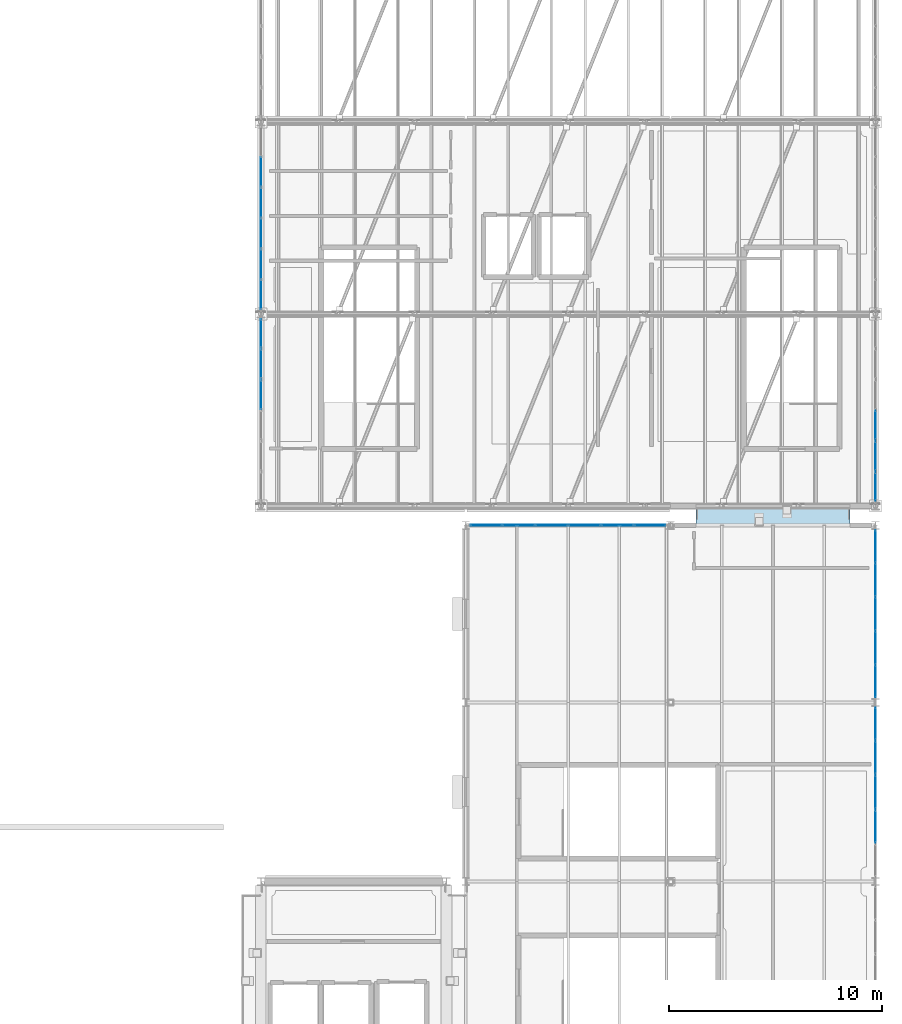
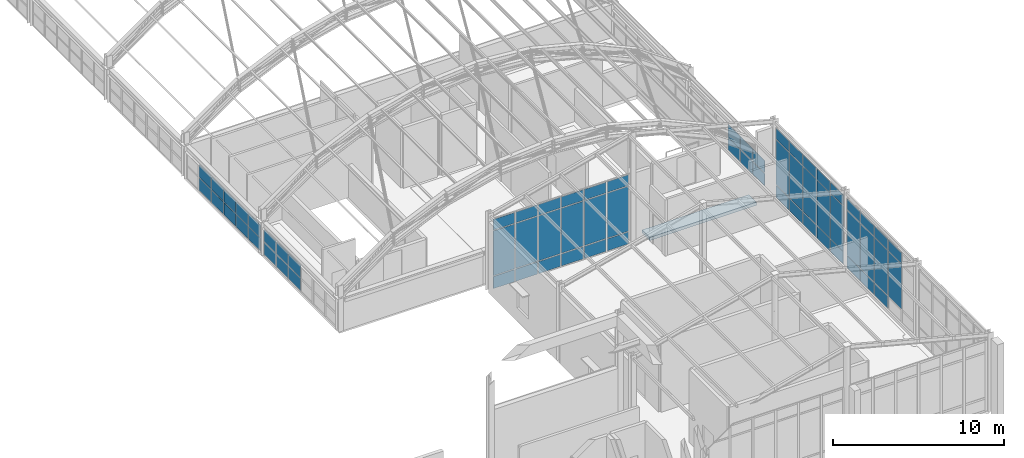
# One storey, part 97 of 121: 66 plates, 1 slab, 6 elements without a shape of their own.
"""IFC4 building model written with IfcOpenShell, lengths in metres."""

from ifc_helpers import new_model, si_unit, direction, frame, origin, origin_2d, place, context, subcontext, project, spatial, polyline, rectangle, outline, extrude, material, layer, layer_set, type_object, element, aggregate, save


model = new_model("IFC4")

# Units and contexts
model_context = context("Model", 3, precision=1e-05, world=origin(), true_north=direction((0.0, 1.0)))
body_context = subcontext(model_context, "Body", "Model", "MODEL_VIEW")
ifc_project = project(units=[si_unit("LENGTHUNIT", "METRE"), si_unit("AREAUNIT", "SQUARE_METRE"), si_unit("VOLUMEUNIT", "CUBIC_METRE"), si_unit("PLANEANGLEUNIT", "RADIAN"), si_unit("MASSUNIT", "GRAM", prefix="KILO")], contexts=[model_context])

# Site, building, storey
site_placement = place(None, origin())
site = spatial("IfcSite", under=ifc_project, at=site_placement, CompositionType="ELEMENT")
building_placement = place(site_placement, origin())
building = spatial("IfcBuilding", under=site, at=building_placement, Name="Canglan Escarpment Cableway Terminal", CompositionType="ELEMENT")
storey_placement = place(building_placement, frame((0.0, 0.0, 24.60009765625)))
storey = spatial("IfcBuildingStorey", under=building, at=storey_placement, Name="L05", CompositionType="ELEMENT", Elevation=24.60009765625)

# Curtain wall, plates
ifc_material_1 = material(Name="Anodized bronze aluminium and Low-E double glazing", Category="aluminium")
curtain_wall_type_1 = type_object("IfcCurtainWallType", Name="CW-BAY-7950x5050", PredefinedType="NOTDEFINED", material=ifc_material_1)
curtain_wall_1_placement = place(storey_placement, origin())
curtain_wall_1 = element("IfcCurtainWall", 1, at=curtain_wall_1_placement, inside=storey, type_object=curtain_wall_type_1, Name="Classical bay-between-piers glazed curtain wall CW-39", PredefinedType="NOTDEFINED")
ifc_material_2 = material(Name="Double-silver Low-E laminated insulating glass", Category="glass")
ifc_layer_1 = layer(ifc_material_2, 0.02392578125, Name="Double-silver Low-E laminated insulating glass")
ifc_layer_set_1 = layer_set([ifc_layer_1], Name="Double-silver Low-E laminated insulating glass")
plate_type_1 = type_object("IfcPlateType", Name="CWP-01", PredefinedType="CURTAIN_PANEL", material=ifc_layer_set_1)
plate_1_placement = place(storey_placement, frame((166.39990234375, 25.784912109375, 0.05517578125), z_axis=(0.0, 0.0, 1.0), x_axis=(0.0, 1.0, 0.0)))
plate_1 = element("IfcPlate", 2, at=plate_1_placement, type_object=plate_type_1, Name="CW-39 panel 1.1", PredefinedType="CURTAIN_PANEL", context=body_context, shape_type="SweptSolid", body=[
    extrude(rectangle(XDim=1.5, YDim=0.02392578125, at=origin_2d()), origin(), (0.0, 0.0, 1.0), 0.867431640625),
])
plate_2_placement = place(storey_placement, frame((166.39990234375, 25.784912109375, 0.9775390625), z_axis=(0.0, 0.0, 1.0), x_axis=(0.0, 1.0, 0.0)))
plate_2 = element("IfcPlate", 3, at=plate_2_placement, type_object=plate_type_1, Name="CW-39 panel 1.2", PredefinedType="CURTAIN_PANEL", context=body_context, shape_type="SweptSolid", body=[
    extrude(rectangle(XDim=1.5, YDim=0.02392578125, at=origin_2d()), origin(), (0.0, 0.0, 1.0), 3.195068359375),
])
plate_3_placement = place(storey_placement, frame((166.39990234375, 25.784912109375, 4.227294921875), z_axis=(0.0, 0.0, 1.0), x_axis=(0.0, 1.0, 0.0)))
plate_3 = element("IfcPlate", 4, at=plate_3_placement, type_object=plate_type_1, Name="CW-39 panel 1.3", PredefinedType="CURTAIN_PANEL", context=body_context, shape_type="SweptSolid", body=[
    extrude(rectangle(XDim=1.5, YDim=0.02392578125, at=origin_2d()), origin(), (0.0, 0.0, 1.0), 0.767578125),
])
plate_4_placement = place(storey_placement, frame((166.39990234375, 27.360107421875, 0.05517578125), z_axis=(0.0, 0.0, 1.0), x_axis=(0.0, 1.0, 0.0)))
plate_4 = element("IfcPlate", 5, at=plate_4_placement, type_object=plate_type_1, Name="CW-39 panel 2.1", PredefinedType="CURTAIN_PANEL", context=body_context, shape_type="SweptSolid", body=[
    extrude(rectangle(XDim=1.530029296875, YDim=0.02392578125, at=origin_2d()), origin(), (0.0, 0.0, 1.0), 0.867431640625),
])
plate_5_placement = place(storey_placement, frame((166.39990234375, 27.360107421875, 0.9775390625), z_axis=(0.0, 0.0, 1.0), x_axis=(0.0, 1.0, 0.0)))
plate_5 = element("IfcPlate", 6, at=plate_5_placement, type_object=plate_type_1, Name="CW-39 panel 2.2", PredefinedType="CURTAIN_PANEL", context=body_context, shape_type="SweptSolid", body=[
    extrude(rectangle(XDim=1.530029296875, YDim=0.02392578125, at=origin_2d()), origin(), (0.0, 0.0, 1.0), 3.195068359375),
])
plate_6_placement = place(storey_placement, frame((166.39990234375, 27.360107421875, 4.227294921875), z_axis=(0.0, 0.0, 1.0), x_axis=(0.0, 1.0, 0.0)))
plate_6 = element("IfcPlate", 7, at=plate_6_placement, type_object=plate_type_1, Name="CW-39 panel 2.3", PredefinedType="CURTAIN_PANEL", context=body_context, shape_type="SweptSolid", body=[
    extrude(rectangle(XDim=1.530029296875, YDim=0.02392578125, at=origin_2d()), origin(), (0.0, 0.0, 1.0), 0.767578125),
])
plate_7_placement = place(storey_placement, frame((166.39990234375, 28.949951171875, 0.05517578125), z_axis=(0.0, 0.0, 1.0), x_axis=(0.0, 1.0, 0.0)))
plate_7 = element("IfcPlate", 8, at=plate_7_placement, type_object=plate_type_1, Name="CW-39 panel 3.1", PredefinedType="CURTAIN_PANEL", context=body_context, shape_type="SweptSolid", body=[
    extrude(rectangle(XDim=1.530029296875, YDim=0.02392578125, at=origin_2d()), origin(), (0.0, 0.0, 1.0), 0.867431640625),
])
plate_8_placement = place(storey_placement, frame((166.39990234375, 28.949951171875, 0.9775390625), z_axis=(0.0, 0.0, 1.0), x_axis=(0.0, 1.0, 0.0)))
plate_8 = element("IfcPlate", 9, at=plate_8_placement, type_object=plate_type_1, Name="CW-39 panel 3.2", PredefinedType="CURTAIN_PANEL", context=body_context, shape_type="SweptSolid", body=[
    extrude(rectangle(XDim=1.530029296875, YDim=0.02392578125, at=origin_2d()), origin(), (0.0, 0.0, 1.0), 3.195068359375),
])
plate_9_placement = place(storey_placement, frame((166.39990234375, 28.949951171875, 4.227294921875), z_axis=(0.0, 0.0, 1.0), x_axis=(0.0, 1.0, 0.0)))
plate_9 = element("IfcPlate", 10, at=plate_9_placement, type_object=plate_type_1, Name="CW-39 panel 3.3", PredefinedType="CURTAIN_PANEL", context=body_context, shape_type="SweptSolid", body=[
    extrude(rectangle(XDim=1.530029296875, YDim=0.02392578125, at=origin_2d()), origin(), (0.0, 0.0, 1.0), 0.767578125),
])
plate_10_placement = place(storey_placement, frame((166.39990234375, 30.5400390625, 0.05517578125), z_axis=(0.0, 0.0, 1.0), x_axis=(0.0, 1.0, 0.0)))
plate_10 = element("IfcPlate", 11, at=plate_10_placement, type_object=plate_type_1, Name="CW-39 panel 4.1", PredefinedType="CURTAIN_PANEL", context=body_context, shape_type="SweptSolid", body=[
    extrude(rectangle(XDim=1.530029296875, YDim=0.02392578125, at=origin_2d()), origin(), (0.0, 0.0, 1.0), 0.867431640625),
])
plate_11_placement = place(storey_placement, frame((166.39990234375, 30.5400390625, 0.9775390625), z_axis=(0.0, 0.0, 1.0), x_axis=(0.0, 1.0, 0.0)))
plate_11 = element("IfcPlate", 12, at=plate_11_placement, type_object=plate_type_1, Name="CW-39 panel 4.2", PredefinedType="CURTAIN_PANEL", context=body_context, shape_type="SweptSolid", body=[
    extrude(rectangle(XDim=1.530029296875, YDim=0.02392578125, at=origin_2d()), origin(), (0.0, 0.0, 1.0), 3.195068359375),
])
plate_12_placement = place(storey_placement, frame((166.39990234375, 30.5400390625, 4.227294921875), z_axis=(0.0, 0.0, 1.0), x_axis=(0.0, 1.0, 0.0)))
plate_12 = element("IfcPlate", 13, at=plate_12_placement, type_object=plate_type_1, Name="CW-39 panel 4.3", PredefinedType="CURTAIN_PANEL", context=body_context, shape_type="SweptSolid", body=[
    extrude(rectangle(XDim=1.530029296875, YDim=0.02392578125, at=origin_2d()), origin(), (0.0, 0.0, 1.0), 0.767578125),
])
plate_13_placement = place(storey_placement, frame((166.39990234375, 32.114990234375, 0.05517578125), z_axis=(0.0, 0.0, 1.0), x_axis=(0.0, 1.0, 0.0)))
plate_13 = element("IfcPlate", 14, at=plate_13_placement, type_object=plate_type_1, Name="CW-39 panel 5.1", PredefinedType="CURTAIN_PANEL", context=body_context, shape_type="SweptSolid", body=[
    extrude(rectangle(XDim=1.5, YDim=0.02392578125, at=origin_2d()), origin(), (0.0, 0.0, 1.0), 0.867431640625),
])
plate_14_placement = place(storey_placement, frame((166.39990234375, 32.114990234375, 0.9775390625), z_axis=(0.0, 0.0, 1.0), x_axis=(0.0, 1.0, 0.0)))
plate_14 = element("IfcPlate", 15, at=plate_14_placement, type_object=plate_type_1, Name="CW-39 panel 5.2", PredefinedType="CURTAIN_PANEL", context=body_context, shape_type="SweptSolid", body=[
    extrude(rectangle(XDim=1.5, YDim=0.02392578125, at=origin_2d()), origin(), (0.0, 0.0, 1.0), 3.195068359375),
])
plate_15_placement = place(storey_placement, frame((166.39990234375, 32.114990234375, 4.227294921875), z_axis=(0.0, 0.0, 1.0), x_axis=(0.0, 1.0, 0.0)))
plate_15 = element("IfcPlate", 16, at=plate_15_placement, type_object=plate_type_1, Name="CW-39 panel 5.3", PredefinedType="CURTAIN_PANEL", context=body_context, shape_type="SweptSolid", body=[
    extrude(rectangle(XDim=1.5, YDim=0.02392578125, at=origin_2d()), origin(), (0.0, 0.0, 1.0), 0.767578125),
])
aggregate(curtain_wall_1, [plate_1, plate_2, plate_3, plate_4, plate_5, plate_6, plate_7, plate_8, plate_9, plate_10, plate_11, plate_12, plate_13, plate_14, plate_15])

curtain_wall_type_2 = type_object("IfcCurtainWallType", Name="CW-BAY-9250x5050", PredefinedType="NOTDEFINED", material=ifc_material_1)
curtain_wall_2_placement = place(storey_placement, origin())
curtain_wall_2 = element("IfcCurtainWall", 17, at=curtain_wall_2_placement, inside=storey, type_object=curtain_wall_type_2, Name="Classical bay-between-piers glazed curtain wall CW-40", PredefinedType="NOTDEFINED")
ifc_layer_2 = layer(ifc_material_2, 0.031982421875, Name="Double-silver Low-E laminated insulating glass")
ifc_layer_set_2 = layer_set([ifc_layer_2], Name="Double-silver Low-E laminated insulating glass")
plate_type_2 = type_object("IfcPlateType", Name="CWP-03", PredefinedType="CURTAIN_PANEL", material=ifc_layer_set_2)
plate_16_placement = place(storey_placement, frame((155.837890625, 33.10009765625, 0.06005859375), z_axis=(0.0, 0.0, 1.0), x_axis=(-1.0, 0.0, 0.0)))
plate_16 = element("IfcPlate", 18, at=plate_16_placement, type_object=plate_type_2, Name="CW-40 panel 1.1", PredefinedType="CURTAIN_PANEL", context=body_context, shape_type="SweptSolid", body=[
    extrude(rectangle(XDim=1.444091796875, YDim=0.031982421875, at=origin_2d()), origin(), (0.0, 0.0, 1.0), 0.860107421875),
])
plate_17_placement = place(storey_placement, frame((155.837890625, 33.10009765625, 0.97998046875), z_axis=(0.0, 0.0, 1.0), x_axis=(-1.0, 0.0, 0.0)))
plate_17 = element("IfcPlate", 19, at=plate_17_placement, type_object=plate_type_2, Name="CW-40 panel 1.2", PredefinedType="CURTAIN_PANEL", context=body_context, shape_type="SweptSolid", body=[
    extrude(rectangle(XDim=1.444091796875, YDim=0.031982421875, at=origin_2d()), origin(), (0.0, 0.0, 1.0), 3.18994140625),
])
plate_18_placement = place(storey_placement, frame((155.837890625, 33.10009765625, 4.22998046875), z_axis=(0.0, 0.0, 1.0), x_axis=(-1.0, 0.0, 0.0)))
plate_18 = element("IfcPlate", 20, at=plate_18_placement, type_object=plate_type_2, Name="CW-40 panel 1.3", PredefinedType="CURTAIN_PANEL", context=body_context, shape_type="SweptSolid", body=[
    extrude(rectangle(XDim=1.444091796875, YDim=0.031982421875, at=origin_2d()), origin(), (0.0, 0.0, 1.0), 0.760009765625),
])
plate_19_placement = place(storey_placement, frame((154.3125, 33.10009765625, 0.06005859375), z_axis=(0.0, 0.0, 1.0), x_axis=(-1.0, 0.0, 0.0)))
plate_19 = element("IfcPlate", 21, at=plate_19_placement, type_object=plate_type_2, Name="CW-40 panel 2.1", PredefinedType="CURTAIN_PANEL", context=body_context, shape_type="SweptSolid", body=[
    extrude(rectangle(XDim=1.4765625, YDim=0.031982421875, at=origin_2d()), origin(), (0.0, 0.0, 1.0), 0.860107421875),
])
plate_20_placement = place(storey_placement, frame((154.3125, 33.10009765625, 0.97998046875), z_axis=(0.0, 0.0, 1.0), x_axis=(-1.0, 0.0, 0.0)))
plate_20 = element("IfcPlate", 22, at=plate_20_placement, type_object=plate_type_2, Name="CW-40 panel 2.2", PredefinedType="CURTAIN_PANEL", context=body_context, shape_type="SweptSolid", body=[
    extrude(rectangle(XDim=1.4765625, YDim=0.031982421875, at=origin_2d()), origin(), (0.0, 0.0, 1.0), 3.18994140625),
])
plate_21_placement = place(storey_placement, frame((154.3125, 33.10009765625, 4.22998046875), z_axis=(0.0, 0.0, 1.0), x_axis=(-1.0, 0.0, 0.0)))
plate_21 = element("IfcPlate", 23, at=plate_21_placement, type_object=plate_type_2, Name="CW-40 panel 2.3", PredefinedType="CURTAIN_PANEL", context=body_context, shape_type="SweptSolid", body=[
    extrude(rectangle(XDim=1.4765625, YDim=0.031982421875, at=origin_2d()), origin(), (0.0, 0.0, 1.0), 0.760009765625),
])
plate_22_placement = place(storey_placement, frame((152.770751953125, 33.10009765625, 0.06005859375), z_axis=(0.0, 0.0, 1.0), x_axis=(-1.0, 0.0, 0.0)))
plate_22 = element("IfcPlate", 24, at=plate_22_placement, type_object=plate_type_2, Name="CW-40 panel 3.1", PredefinedType="CURTAIN_PANEL", context=body_context, shape_type="SweptSolid", body=[
    extrude(rectangle(XDim=1.4765625, YDim=0.031982421875, at=origin_2d()), origin(), (0.0, 0.0, 1.0), 0.860107421875),
])
plate_23_placement = place(storey_placement, frame((152.770751953125, 33.10009765625, 0.97998046875), z_axis=(0.0, 0.0, 1.0), x_axis=(-1.0, 0.0, 0.0)))
plate_23 = element("IfcPlate", 25, at=plate_23_placement, type_object=plate_type_2, Name="CW-40 panel 3.2", PredefinedType="CURTAIN_PANEL", context=body_context, shape_type="SweptSolid", body=[
    extrude(rectangle(XDim=1.4765625, YDim=0.031982421875, at=origin_2d()), origin(), (0.0, 0.0, 1.0), 3.18994140625),
])
plate_24_placement = place(storey_placement, frame((152.770751953125, 33.10009765625, 4.22998046875), z_axis=(0.0, 0.0, 1.0), x_axis=(-1.0, 0.0, 0.0)))
plate_24 = element("IfcPlate", 26, at=plate_24_placement, type_object=plate_type_2, Name="CW-40 panel 3.3", PredefinedType="CURTAIN_PANEL", context=body_context, shape_type="SweptSolid", body=[
    extrude(rectangle(XDim=1.4765625, YDim=0.031982421875, at=origin_2d()), origin(), (0.0, 0.0, 1.0), 0.760009765625),
])
plate_25_placement = place(storey_placement, frame((151.229248046875, 33.10009765625, 0.06005859375), z_axis=(0.0, 0.0, 1.0), x_axis=(-1.0, 0.0, 0.0)))
plate_25 = element("IfcPlate", 27, at=plate_25_placement, type_object=plate_type_2, Name="CW-40 panel 4.1", PredefinedType="CURTAIN_PANEL", context=body_context, shape_type="SweptSolid", body=[
    extrude(rectangle(XDim=1.4765625, YDim=0.031982421875, at=origin_2d()), origin(), (0.0, 0.0, 1.0), 0.860107421875),
])
plate_26_placement = place(storey_placement, frame((151.229248046875, 33.10009765625, 0.97998046875), z_axis=(0.0, 0.0, 1.0), x_axis=(-1.0, 0.0, 0.0)))
plate_26 = element("IfcPlate", 28, at=plate_26_placement, type_object=plate_type_2, Name="CW-40 panel 4.2", PredefinedType="CURTAIN_PANEL", context=body_context, shape_type="SweptSolid", body=[
    extrude(rectangle(XDim=1.4765625, YDim=0.031982421875, at=origin_2d()), origin(), (0.0, 0.0, 1.0), 3.18994140625),
])
plate_27_placement = place(storey_placement, frame((151.229248046875, 33.10009765625, 4.22998046875), z_axis=(0.0, 0.0, 1.0), x_axis=(-1.0, 0.0, 0.0)))
plate_27 = element("IfcPlate", 29, at=plate_27_placement, type_object=plate_type_2, Name="CW-40 panel 4.3", PredefinedType="CURTAIN_PANEL", context=body_context, shape_type="SweptSolid", body=[
    extrude(rectangle(XDim=1.4765625, YDim=0.031982421875, at=origin_2d()), origin(), (0.0, 0.0, 1.0), 0.760009765625),
])
plate_28_placement = place(storey_placement, frame((149.6875, 33.10009765625, 0.06005859375), z_axis=(0.0, 0.0, 1.0), x_axis=(-1.0, 0.0, 0.0)))
plate_28 = element("IfcPlate", 30, at=plate_28_placement, type_object=plate_type_2, Name="CW-40 panel 5.1", PredefinedType="CURTAIN_PANEL", context=body_context, shape_type="SweptSolid", body=[
    extrude(rectangle(XDim=1.4765625, YDim=0.031982421875, at=origin_2d()), origin(), (0.0, 0.0, 1.0), 0.860107421875),
])
plate_29_placement = place(storey_placement, frame((149.6875, 33.10009765625, 0.97998046875), z_axis=(0.0, 0.0, 1.0), x_axis=(-1.0, 0.0, 0.0)))
plate_29 = element("IfcPlate", 31, at=plate_29_placement, type_object=plate_type_2, Name="CW-40 panel 5.2", PredefinedType="CURTAIN_PANEL", context=body_context, shape_type="SweptSolid", body=[
    extrude(rectangle(XDim=1.4765625, YDim=0.031982421875, at=origin_2d()), origin(), (0.0, 0.0, 1.0), 3.18994140625),
])
plate_30_placement = place(storey_placement, frame((149.6875, 33.10009765625, 4.22998046875), z_axis=(0.0, 0.0, 1.0), x_axis=(-1.0, 0.0, 0.0)))
plate_30 = element("IfcPlate", 32, at=plate_30_placement, type_object=plate_type_2, Name="CW-40 panel 5.3", PredefinedType="CURTAIN_PANEL", context=body_context, shape_type="SweptSolid", body=[
    extrude(rectangle(XDim=1.4765625, YDim=0.031982421875, at=origin_2d()), origin(), (0.0, 0.0, 1.0), 0.760009765625),
])
plate_31_placement = place(storey_placement, frame((148.162109375, 33.10009765625, 0.06005859375), z_axis=(0.0, 0.0, 1.0), x_axis=(-1.0, 0.0, 0.0)))
plate_31 = element("IfcPlate", 33, at=plate_31_placement, type_object=plate_type_2, Name="CW-40 panel 6.1", PredefinedType="CURTAIN_PANEL", context=body_context, shape_type="SweptSolid", body=[
    extrude(rectangle(XDim=1.444091796875, YDim=0.031982421875, at=origin_2d()), origin(), (0.0, 0.0, 1.0), 0.860107421875),
])
plate_32_placement = place(storey_placement, frame((148.162109375, 33.10009765625, 0.97998046875), z_axis=(0.0, 0.0, 1.0), x_axis=(-1.0, 0.0, 0.0)))
plate_32 = element("IfcPlate", 34, at=plate_32_placement, type_object=plate_type_2, Name="CW-40 panel 6.2", PredefinedType="CURTAIN_PANEL", context=body_context, shape_type="SweptSolid", body=[
    extrude(rectangle(XDim=1.444091796875, YDim=0.031982421875, at=origin_2d()), origin(), (0.0, 0.0, 1.0), 3.18994140625),
])
plate_33_placement = place(storey_placement, frame((148.162109375, 33.10009765625, 4.22998046875), z_axis=(0.0, 0.0, 1.0), x_axis=(-1.0, 0.0, 0.0)))
plate_33 = element("IfcPlate", 35, at=plate_33_placement, type_object=plate_type_2, Name="CW-40 panel 6.3", PredefinedType="CURTAIN_PANEL", context=body_context, shape_type="SweptSolid", body=[
    extrude(rectangle(XDim=1.444091796875, YDim=0.031982421875, at=origin_2d()), origin(), (0.0, 0.0, 1.0), 0.760009765625),
])
aggregate(curtain_wall_2, [plate_16, plate_17, plate_18, plate_19, plate_20, plate_21, plate_22, plate_23, plate_24, plate_25, plate_26, plate_27, plate_28, plate_29, plate_30, plate_31, plate_32, plate_33])

curtain_wall_type_3 = type_object("IfcCurtainWallType", Name="CW-BAY-8650x1925", PredefinedType="NOTDEFINED", material=ifc_material_1)
curtain_wall_3_placement = place(storey_placement, origin())
curtain_wall_3 = element("IfcCurtainWall", 36, at=curtain_wall_3_placement, inside=storey, type_object=curtain_wall_type_3, Name="Classical bay-between-piers glazed curtain wall CW-65", PredefinedType="NOTDEFINED")
plate_34_placement = place(storey_placement, frame((166.39990234375, 34.912109375, 0.06494140625), z_axis=(0.0, 0.0, 1.0), x_axis=(0.0, 1.0, 0.0)))
plate_34 = element("IfcPlate", 37, at=plate_34_placement, type_object=plate_type_2, Name="CW-65 panel 1.1", PredefinedType="CURTAIN_PANEL", context=body_context, shape_type="SweptSolid", body=[
    extrude(rectangle(XDim=1.34423828125, YDim=0.031982421875, at=origin_2d()), origin(), (0.0, 0.0, 1.0), 0.868896484375),
])
plate_35_placement = place(storey_placement, frame((166.39990234375, 34.912109375, 0.998779296875), z_axis=(0.0, 0.0, 1.0), x_axis=(0.0, 1.0, 0.0)))
plate_35 = element("IfcPlate", 38, at=plate_35_placement, type_object=plate_type_2, Name="CW-65 panel 1.2", PredefinedType="CURTAIN_PANEL", context=body_context, shape_type="SweptSolid", body=[
    extrude(rectangle(XDim=1.34423828125, YDim=0.031982421875, at=origin_2d()), origin(), (0.0, 0.0, 1.0), 0.86865234375),
])
plate_36_placement = place(storey_placement, frame((166.39990234375, 36.33740234375, 0.06494140625), z_axis=(0.0, 0.0, 1.0), x_axis=(0.0, 1.0, 0.0)))
plate_36 = element("IfcPlate", 39, at=plate_36_placement, type_object=plate_type_2, Name="CW-65 panel 2.1", PredefinedType="CURTAIN_PANEL", context=body_context, shape_type="SweptSolid", body=[
    extrude(rectangle(XDim=1.376708984375, YDim=0.031982421875, at=origin_2d()), origin(), (0.0, 0.0, 1.0), 0.868896484375),
])
plate_37_placement = place(storey_placement, frame((166.39990234375, 36.33740234375, 0.998779296875), z_axis=(0.0, 0.0, 1.0), x_axis=(0.0, 1.0, 0.0)))
plate_37 = element("IfcPlate", 40, at=plate_37_placement, type_object=plate_type_2, Name="CW-65 panel 2.2", PredefinedType="CURTAIN_PANEL", context=body_context, shape_type="SweptSolid", body=[
    extrude(rectangle(XDim=1.376708984375, YDim=0.031982421875, at=origin_2d()), origin(), (0.0, 0.0, 1.0), 0.86865234375),
])
plate_38_placement = place(storey_placement, frame((166.39990234375, 37.779052734375, 0.06494140625), z_axis=(0.0, 0.0, 1.0), x_axis=(0.0, 1.0, 0.0)))
plate_38 = element("IfcPlate", 41, at=plate_38_placement, type_object=plate_type_2, Name="CW-65 panel 3.1", PredefinedType="CURTAIN_PANEL", context=body_context, shape_type="SweptSolid", body=[
    extrude(rectangle(XDim=1.376708984375, YDim=0.031982421875, at=origin_2d()), origin(), (0.0, 0.0, 1.0), 0.868896484375),
])
plate_39_placement = place(storey_placement, frame((166.39990234375, 37.779052734375, 0.998779296875), z_axis=(0.0, 0.0, 1.0), x_axis=(0.0, 1.0, 0.0)))
plate_39 = element("IfcPlate", 42, at=plate_39_placement, type_object=plate_type_2, Name="CW-65 panel 3.2", PredefinedType="CURTAIN_PANEL", context=body_context, shape_type="SweptSolid", body=[
    extrude(rectangle(XDim=1.376708984375, YDim=0.031982421875, at=origin_2d()), origin(), (0.0, 0.0, 1.0), 0.86865234375),
])
aggregate(curtain_wall_3, [plate_34, plate_35, plate_36, plate_37, plate_38, plate_39])

curtain_wall_4_placement = place(storey_placement, origin())
curtain_wall_4 = element("IfcCurtainWall", 43, at=curtain_wall_4_placement, inside=storey, type_object=curtain_wall_type_3, Name="Classical bay-between-piers glazed curtain wall CW-65", PredefinedType="NOTDEFINED")
plate_40_placement = place(storey_placement, frame((137.60009765625, 42.087890625, 0.06494140625), z_axis=(0.0, 0.0, 1.0), x_axis=(0.0, -1.0, 0.0)))
plate_40 = element("IfcPlate", 44, at=plate_40_placement, type_object=plate_type_2, Name="CW-65 panel 1.1", PredefinedType="CURTAIN_PANEL", context=body_context, shape_type="SweptSolid", body=[
    extrude(rectangle(XDim=1.34423828125, YDim=0.031982421875, at=origin_2d()), origin(), (0.0, 0.0, 1.0), 0.868896484375),
])
plate_41_placement = place(storey_placement, frame((137.60009765625, 42.087890625, 0.998779296875), z_axis=(0.0, 0.0, 1.0), x_axis=(0.0, -1.0, 0.0)))
plate_41 = element("IfcPlate", 45, at=plate_41_placement, type_object=plate_type_2, Name="CW-65 panel 1.2", PredefinedType="CURTAIN_PANEL", context=body_context, shape_type="SweptSolid", body=[
    extrude(rectangle(XDim=1.34423828125, YDim=0.031982421875, at=origin_2d()), origin(), (0.0, 0.0, 1.0), 0.86865234375),
])
plate_42_placement = place(storey_placement, frame((137.60009765625, 40.66259765625, 0.06494140625), z_axis=(0.0, 0.0, 1.0), x_axis=(0.0, -1.0, 0.0)))
plate_42 = element("IfcPlate", 46, at=plate_42_placement, type_object=plate_type_2, Name="CW-65 panel 2.1", PredefinedType="CURTAIN_PANEL", context=body_context, shape_type="SweptSolid", body=[
    extrude(rectangle(XDim=1.376708984375, YDim=0.031982421875, at=origin_2d()), origin(), (0.0, 0.0, 1.0), 0.868896484375),
])
plate_43_placement = place(storey_placement, frame((137.60009765625, 40.66259765625, 0.998779296875), z_axis=(0.0, 0.0, 1.0), x_axis=(0.0, -1.0, 0.0)))
plate_43 = element("IfcPlate", 47, at=plate_43_placement, type_object=plate_type_2, Name="CW-65 panel 2.2", PredefinedType="CURTAIN_PANEL", context=body_context, shape_type="SweptSolid", body=[
    extrude(rectangle(XDim=1.376708984375, YDim=0.031982421875, at=origin_2d()), origin(), (0.0, 0.0, 1.0), 0.86865234375),
])
plate_44_placement = place(storey_placement, frame((137.60009765625, 39.220947265625, 0.06494140625), z_axis=(0.0, 0.0, 1.0), x_axis=(0.0, -1.0, 0.0)))
plate_44 = element("IfcPlate", 48, at=plate_44_placement, type_object=plate_type_2, Name="CW-65 panel 3.1", PredefinedType="CURTAIN_PANEL", context=body_context, shape_type="SweptSolid", body=[
    extrude(rectangle(XDim=1.376708984375, YDim=0.031982421875, at=origin_2d()), origin(), (0.0, 0.0, 1.0), 0.868896484375),
])
plate_45_placement = place(storey_placement, frame((137.60009765625, 39.220947265625, 0.998779296875), z_axis=(0.0, 0.0, 1.0), x_axis=(0.0, -1.0, 0.0)))
plate_45 = element("IfcPlate", 49, at=plate_45_placement, type_object=plate_type_2, Name="CW-65 panel 3.2", PredefinedType="CURTAIN_PANEL", context=body_context, shape_type="SweptSolid", body=[
    extrude(rectangle(XDim=1.376708984375, YDim=0.031982421875, at=origin_2d()), origin(), (0.0, 0.0, 1.0), 0.86865234375),
])
aggregate(curtain_wall_4, [plate_40, plate_41, plate_42, plate_43, plate_44, plate_45])

curtain_wall_type_4 = type_object("IfcCurtainWallType", Name="CW-BAY-8050x5050", PredefinedType="NOTDEFINED", material=ifc_material_1)
curtain_wall_5_placement = place(storey_placement, origin())
curtain_wall_5 = element("IfcCurtainWall", 50, at=curtain_wall_5_placement, inside=storey, type_object=curtain_wall_type_4, Name="Classical bay-between-piers glazed curtain wall CW-38", PredefinedType="NOTDEFINED")
ifc_layer_3 = layer(ifc_material_2, 0.035888671875, Name="Double-silver Low-E laminated insulating glass")
ifc_layer_set_3 = layer_set([ifc_layer_3], Name="Double-silver Low-E laminated insulating glass")
plate_type_3 = type_object("IfcPlateType", Name="CWP-04", PredefinedType="CURTAIN_PANEL", material=ifc_layer_set_3)
plate_46_placement = place(storey_placement, frame((166.39990234375, 18.989990234375, 0.982421875), z_axis=(0.0, 0.0, 1.0), x_axis=(0.0, 1.0, 0.0)))
plate_46 = element("IfcPlate", 51, at=plate_46_placement, type_object=plate_type_3, Name="CW-38 panel 2.2", PredefinedType="CURTAIN_PANEL", context=body_context, shape_type="SweptSolid", body=[
    extrude(rectangle(XDim=1.544921875, YDim=0.035888671875, at=origin_2d()), origin(), (0.0, 0.0, 1.0), 3.18505859375),
])
plate_47_placement = place(storey_placement, frame((166.39990234375, 18.989990234375, 4.232421875), z_axis=(0.0, 0.0, 1.0), x_axis=(0.0, 1.0, 0.0)))
plate_47 = element("IfcPlate", 52, at=plate_47_placement, type_object=plate_type_3, Name="CW-38 panel 2.3", PredefinedType="CURTAIN_PANEL", context=body_context, shape_type="SweptSolid", body=[
    extrude(rectangle(XDim=1.544921875, YDim=0.035888671875, at=origin_2d()), origin(), (0.0, 0.0, 1.0), 0.75244140625),
])
plate_48_placement = place(storey_placement, frame((166.39990234375, 20.60009765625, 0.06494140625), z_axis=(0.0, 0.0, 1.0), x_axis=(0.0, 1.0, 0.0)))
plate_48 = element("IfcPlate", 53, at=plate_48_placement, type_object=plate_type_3, Name="CW-38 panel 3.1", PredefinedType="CURTAIN_PANEL", context=body_context, shape_type="SweptSolid", body=[
    extrude(rectangle(XDim=1.544921875, YDim=0.035888671875, at=origin_2d()), origin(), (0.0, 0.0, 1.0), 0.8525390625),
])
plate_49_placement = place(storey_placement, frame((166.39990234375, 20.60009765625, 0.982421875), z_axis=(0.0, 0.0, 1.0), x_axis=(0.0, 1.0, 0.0)))
plate_49 = element("IfcPlate", 54, at=plate_49_placement, type_object=plate_type_3, Name="CW-38 panel 3.2", PredefinedType="CURTAIN_PANEL", context=body_context, shape_type="SweptSolid", body=[
    extrude(rectangle(XDim=1.544921875, YDim=0.035888671875, at=origin_2d()), origin(), (0.0, 0.0, 1.0), 3.18505859375),
])
plate_50_placement = place(storey_placement, frame((166.39990234375, 20.60009765625, 4.232421875), z_axis=(0.0, 0.0, 1.0), x_axis=(0.0, 1.0, 0.0)))
plate_50 = element("IfcPlate", 55, at=plate_50_placement, type_object=plate_type_3, Name="CW-38 panel 3.3", PredefinedType="CURTAIN_PANEL", context=body_context, shape_type="SweptSolid", body=[
    extrude(rectangle(XDim=1.544921875, YDim=0.035888671875, at=origin_2d()), origin(), (0.0, 0.0, 1.0), 0.75244140625),
])
plate_51_placement = place(storey_placement, frame((166.39990234375, 22.2099609375, 0.06494140625), z_axis=(0.0, 0.0, 1.0), x_axis=(0.0, 1.0, 0.0)))
plate_51 = element("IfcPlate", 56, at=plate_51_placement, type_object=plate_type_3, Name="CW-38 panel 4.1", PredefinedType="CURTAIN_PANEL", context=body_context, shape_type="SweptSolid", body=[
    extrude(rectangle(XDim=1.544921875, YDim=0.035888671875, at=origin_2d()), origin(), (0.0, 0.0, 1.0), 0.8525390625),
])
plate_52_placement = place(storey_placement, frame((166.39990234375, 22.2099609375, 0.982421875), z_axis=(0.0, 0.0, 1.0), x_axis=(0.0, 1.0, 0.0)))
plate_52 = element("IfcPlate", 57, at=plate_52_placement, type_object=plate_type_3, Name="CW-38 panel 4.2", PredefinedType="CURTAIN_PANEL", context=body_context, shape_type="SweptSolid", body=[
    extrude(rectangle(XDim=1.544921875, YDim=0.035888671875, at=origin_2d()), origin(), (0.0, 0.0, 1.0), 3.18505859375),
])
plate_53_placement = place(storey_placement, frame((166.39990234375, 22.2099609375, 4.232421875), z_axis=(0.0, 0.0, 1.0), x_axis=(0.0, 1.0, 0.0)))
plate_53 = element("IfcPlate", 58, at=plate_53_placement, type_object=plate_type_3, Name="CW-38 panel 4.3", PredefinedType="CURTAIN_PANEL", context=body_context, shape_type="SweptSolid", body=[
    extrude(rectangle(XDim=1.544921875, YDim=0.035888671875, at=origin_2d()), origin(), (0.0, 0.0, 1.0), 0.75244140625),
])
plate_54_placement = place(storey_placement, frame((166.39990234375, 23.8037109375, 0.06494140625), z_axis=(0.0, 0.0, 1.0), x_axis=(0.0, 1.0, 0.0)))
plate_54 = element("IfcPlate", 59, at=plate_54_placement, type_object=plate_type_3, Name="CW-38 panel 5.1", PredefinedType="CURTAIN_PANEL", context=body_context, shape_type="SweptSolid", body=[
    extrude(rectangle(XDim=1.512451171875, YDim=0.035888671875, at=origin_2d()), origin(), (0.0, 0.0, 1.0), 0.8525390625),
])
plate_55_placement = place(storey_placement, frame((166.39990234375, 23.8037109375, 0.982421875), z_axis=(0.0, 0.0, 1.0), x_axis=(0.0, 1.0, 0.0)))
plate_55 = element("IfcPlate", 60, at=plate_55_placement, type_object=plate_type_3, Name="CW-38 panel 5.2", PredefinedType="CURTAIN_PANEL", context=body_context, shape_type="SweptSolid", body=[
    extrude(rectangle(XDim=1.512451171875, YDim=0.035888671875, at=origin_2d()), origin(), (0.0, 0.0, 1.0), 3.18505859375),
])
plate_56_placement = place(storey_placement, frame((166.39990234375, 23.8037109375, 4.232421875), z_axis=(0.0, 0.0, 1.0), x_axis=(0.0, 1.0, 0.0)))
plate_56 = element("IfcPlate", 61, at=plate_56_placement, type_object=plate_type_3, Name="CW-38 panel 5.3", PredefinedType="CURTAIN_PANEL", context=body_context, shape_type="SweptSolid", body=[
    extrude(rectangle(XDim=1.512451171875, YDim=0.035888671875, at=origin_2d()), origin(), (0.0, 0.0, 1.0), 0.75244140625),
])
aggregate(curtain_wall_5, [plate_46, plate_47, plate_48, plate_49, plate_50, plate_51, plate_52, plate_53, plate_54, plate_55, plate_56])

curtain_wall_6_placement = place(storey_placement, origin())
curtain_wall_6 = element("IfcCurtainWall", 62, at=curtain_wall_6_placement, inside=storey, type_object=curtain_wall_type_3, Name="Classical bay-between-piers glazed curtain wall CW-65", PredefinedType="NOTDEFINED")
plate_57_placement = place(storey_placement, frame((137.60009765625, 49.66259765625, 0.054931640625), z_axis=(0.0, 0.0, 1.0), x_axis=(0.0, -1.0, 0.0)))
plate_57 = element("IfcPlate", 63, at=plate_57_placement, type_object=plate_type_3, Name="CW-65 panel 2.1", PredefinedType="CURTAIN_PANEL", context=body_context, shape_type="SweptSolid", body=[
    extrude(rectangle(XDim=1.381591796875, YDim=0.035888671875, at=origin_2d()), origin(), (0.0, 0.0, 1.0), 0.8837890625),
])
plate_58_placement = place(storey_placement, frame((137.60009765625, 49.66259765625, 0.99365234375), z_axis=(0.0, 0.0, 1.0), x_axis=(0.0, -1.0, 0.0)))
plate_58 = element("IfcPlate", 64, at=plate_58_placement, type_object=plate_type_3, Name="CW-65 panel 2.2", PredefinedType="CURTAIN_PANEL", context=body_context, shape_type="SweptSolid", body=[
    extrude(rectangle(XDim=1.381591796875, YDim=0.035888671875, at=origin_2d()), origin(), (0.0, 0.0, 1.0), 0.8837890625),
])
plate_59_placement = place(storey_placement, frame((137.60009765625, 48.220947265625, 0.054931640625), z_axis=(0.0, 0.0, 1.0), x_axis=(0.0, -1.0, 0.0)))
plate_59 = element("IfcPlate", 65, at=plate_59_placement, type_object=plate_type_3, Name="CW-65 panel 3.1", PredefinedType="CURTAIN_PANEL", context=body_context, shape_type="SweptSolid", body=[
    extrude(rectangle(XDim=1.381591796875, YDim=0.035888671875, at=origin_2d()), origin(), (0.0, 0.0, 1.0), 0.8837890625),
])
plate_60_placement = place(storey_placement, frame((137.60009765625, 48.220947265625, 0.99365234375), z_axis=(0.0, 0.0, 1.0), x_axis=(0.0, -1.0, 0.0)))
plate_60 = element("IfcPlate", 66, at=plate_60_placement, type_object=plate_type_3, Name="CW-65 panel 3.2", PredefinedType="CURTAIN_PANEL", context=body_context, shape_type="SweptSolid", body=[
    extrude(rectangle(XDim=1.381591796875, YDim=0.035888671875, at=origin_2d()), origin(), (0.0, 0.0, 1.0), 0.8837890625),
])
plate_61_placement = place(storey_placement, frame((137.60009765625, 46.779052734375, 0.054931640625), z_axis=(0.0, 0.0, 1.0), x_axis=(0.0, -1.0, 0.0)))
plate_61 = element("IfcPlate", 67, at=plate_61_placement, type_object=plate_type_3, Name="CW-65 panel 4.1", PredefinedType="CURTAIN_PANEL", context=body_context, shape_type="SweptSolid", body=[
    extrude(rectangle(XDim=1.381591796875, YDim=0.035888671875, at=origin_2d()), origin(), (0.0, 0.0, 1.0), 0.8837890625),
])
plate_62_placement = place(storey_placement, frame((137.60009765625, 46.779052734375, 0.99365234375), z_axis=(0.0, 0.0, 1.0), x_axis=(0.0, -1.0, 0.0)))
plate_62 = element("IfcPlate", 68, at=plate_62_placement, type_object=plate_type_3, Name="CW-65 panel 4.2", PredefinedType="CURTAIN_PANEL", context=body_context, shape_type="SweptSolid", body=[
    extrude(rectangle(XDim=1.381591796875, YDim=0.035888671875, at=origin_2d()), origin(), (0.0, 0.0, 1.0), 0.8837890625),
])
plate_63_placement = place(storey_placement, frame((137.60009765625, 45.33740234375, 0.054931640625), z_axis=(0.0, 0.0, 1.0), x_axis=(0.0, -1.0, 0.0)))
plate_63 = element("IfcPlate", 69, at=plate_63_placement, type_object=plate_type_3, Name="CW-65 panel 5.1", PredefinedType="CURTAIN_PANEL", context=body_context, shape_type="SweptSolid", body=[
    extrude(rectangle(XDim=1.381591796875, YDim=0.035888671875, at=origin_2d()), origin(), (0.0, 0.0, 1.0), 0.8837890625),
])
plate_64_placement = place(storey_placement, frame((137.60009765625, 45.33740234375, 0.99365234375), z_axis=(0.0, 0.0, 1.0), x_axis=(0.0, -1.0, 0.0)))
plate_64 = element("IfcPlate", 70, at=plate_64_placement, type_object=plate_type_3, Name="CW-65 panel 5.2", PredefinedType="CURTAIN_PANEL", context=body_context, shape_type="SweptSolid", body=[
    extrude(rectangle(XDim=1.381591796875, YDim=0.035888671875, at=origin_2d()), origin(), (0.0, 0.0, 1.0), 0.8837890625),
])
plate_65_placement = place(storey_placement, frame((137.60009765625, 43.910888671875, 0.054931640625), z_axis=(0.0, 0.0, 1.0), x_axis=(0.0, -1.0, 0.0)))
plate_65 = element("IfcPlate", 71, at=plate_65_placement, type_object=plate_type_3, Name="CW-65 panel 6.1", PredefinedType="CURTAIN_PANEL", context=body_context, shape_type="SweptSolid", body=[
    extrude(rectangle(XDim=1.3515625, YDim=0.035888671875, at=origin_2d()), origin(), (0.0, 0.0, 1.0), 0.8837890625),
])
plate_66_placement = place(storey_placement, frame((137.60009765625, 43.910888671875, 0.99365234375), z_axis=(0.0, 0.0, 1.0), x_axis=(0.0, -1.0, 0.0)))
plate_66 = element("IfcPlate", 72, at=plate_66_placement, type_object=plate_type_3, Name="CW-65 panel 6.2", PredefinedType="CURTAIN_PANEL", context=body_context, shape_type="SweptSolid", body=[
    extrude(rectangle(XDim=1.3515625, YDim=0.035888671875, at=origin_2d()), origin(), (0.0, 0.0, 1.0), 0.8837890625),
])
aggregate(curtain_wall_6, [plate_57, plate_58, plate_59, plate_60, plate_61, plate_62, plate_63, plate_64, plate_65, plate_66])

# Slab
ifc_material_3 = material(Name="Concrete C40", Category="concrete")
ifc_layer_4 = layer(ifc_material_3, 0.219970703125, Name="Concrete C40")
ifc_layer_set_4 = layer_set([ifc_layer_4], Name="Concrete C40")
slab_type = type_object("IfcSlabType", Name="SLB-LINK-220", PredefinedType="FLOOR", material=ifc_layer_set_4)
slab_placement = place(storey_placement, frame((0.0, 0.0, -0.22021484375)))
element("IfcSlab", 73, at=slab_placement, inside=storey, type_object=slab_type, Name="Movement-joint concourse link slab MJ-S1", PredefinedType="FLOOR", context=body_context, shape_type="SweptSolid", body=[
    extrude(outline(polyline([(165.199951171875, 33.10498046875), (158.0, 33.10498046875), (158.0, 33.9951171875), (165.199951171875, 33.9951171875), (165.199951171875, 33.10498046875)])), origin(), (0.0, 0.0, 1.0), 0.22021484375),
])

save(model, "model.ifc")
